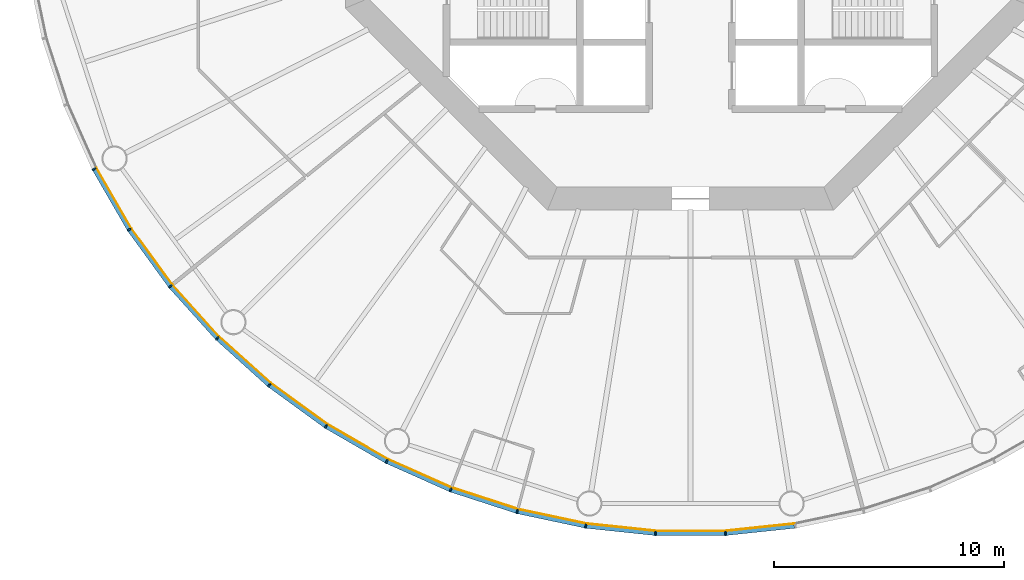
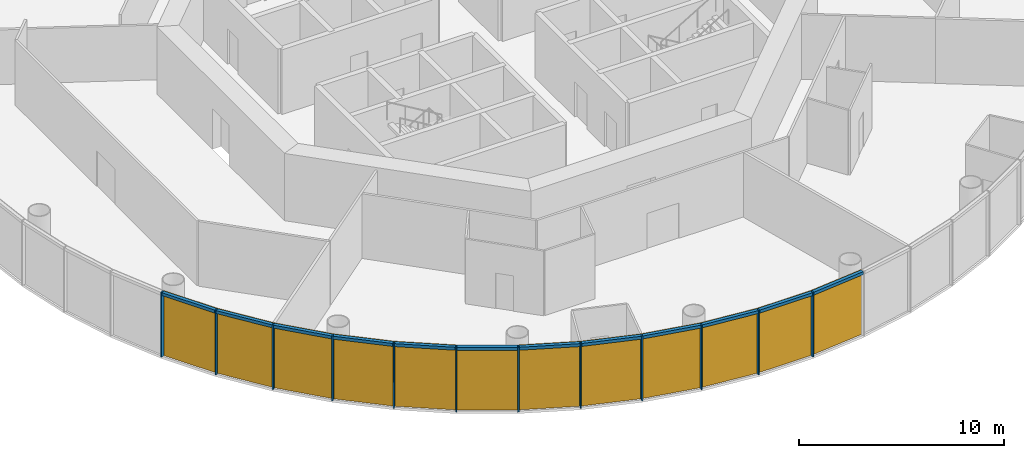
# One storey, part 7 of 13: 24 members, 4 curtain walls.
"""IFC4 building model written with IfcOpenShell, lengths in metres."""

from ifc_helpers import new_model, si_unit, direction, frame, origin, origin_2d, place, context, subcontext, project, spatial, polyline, rectangle, outline, extrude, material, layer, layer_set, material_profile, profile_set, type_object, element, aggregate, save


model = new_model("IFC4")

# Units and contexts
model_context = context("Model", 3, precision=1e-05, world=origin(), true_north=direction((0.0, 1.0)))
body_context = subcontext(model_context, "Body", "Model", "MODEL_VIEW")
ifc_project = project(units=[si_unit("LENGTHUNIT", "METRE"), si_unit("AREAUNIT", "SQUARE_METRE"), si_unit("VOLUMEUNIT", "CUBIC_METRE"), si_unit("PLANEANGLEUNIT", "RADIAN"), si_unit("MASSUNIT", "GRAM", prefix="KILO")], contexts=[model_context])

# Member
ifc_material_1 = material(Name="Anodised aluminium", Category="aluminium")
ifc_material_profile_1 = material_profile(ifc_material_1, rectangle(XDim=0.06494140625, YDim=0.18505859375, at=origin_2d()), Name="Mullion 65 x 185 mm anodised aluminium")
ifc_profile_set_1 = profile_set([ifc_material_profile_1], Name="Anodised aluminium")
member_type_1 = type_object("IfcMemberType", Name="Mullion 65 x 185 mm anodised aluminium", PredefinedType="MULLION", material=ifc_profile_set_1)
site_placement = place(None, origin())
building_placement = place(site_placement, origin())
storey_placement = place(building_placement, frame((0.0, 0.0, 168.0)))
member_1_placement = place(storey_placement, frame((64.078369140625, 66.792236328125, 0.0), z_axis=(0.0, 0.0, 1.0), x_axis=(0.45399049974, -0.891006524188, 0.0)))
member_1 = element("IfcMember", 1, at=member_1_placement, type_object=member_type_1, Name="MULLION L38-33", PredefinedType="MULLION", context=body_context, shape_type="SweptSolid", body=[
    extrude(rectangle(XDim=0.06494140625, YDim=0.18505859375, at=origin_2d()), origin(), (0.0, 0.0, 1.0), 3.85009765625),
])

member_2_placement = place(storey_placement, frame((65.60107421875, 64.155029296875, 0.0), z_axis=(0.0, 0.0, 1.0), x_axis=(0.544639035015, -0.838670567945, 0.0)))
member_2 = element("IfcMember", 2, at=member_2_placement, type_object=member_type_1, Name="MULLION L38-34", PredefinedType="MULLION", context=body_context, shape_type="SweptSolid", body=[
    extrude(rectangle(XDim=0.06494140625, YDim=0.18505859375, at=origin_2d()), origin(), (0.0, 0.0, 1.0), 3.85009765625),
])

member_3_placement = place(storey_placement, frame((67.390869140625, 61.69140625, 0.0), z_axis=(0.0, 0.0, 1.0), x_axis=(0.62932039105, -0.777145961457, 0.0)))
member_3 = element("IfcMember", 3, at=member_3_placement, type_object=member_type_1, Name="MULLION L38-35", PredefinedType="MULLION", context=body_context, shape_type="SweptSolid", body=[
    extrude(rectangle(XDim=0.06494140625, YDim=0.18505859375, at=origin_2d()), origin(), (0.0, 0.0, 1.0), 3.85009765625),
])

member_4_placement = place(storey_placement, frame((69.428466796875, 59.428466796875, 0.0), z_axis=(0.0, 0.0, 1.0), x_axis=(0.707106781187, -0.707106781187, 0.0)))
member_4 = element("IfcMember", 4, at=member_4_placement, type_object=member_type_1, Name="MULLION L38-36", PredefinedType="MULLION", context=body_context, shape_type="SweptSolid", body=[
    extrude(rectangle(XDim=0.06494140625, YDim=0.18505859375, at=origin_2d()), origin(), (0.0, 0.0, 1.0), 3.85009765625),
])

member_5_placement = place(storey_placement, frame((71.69140625, 57.390869140625, 0.0), z_axis=(0.0, 0.0, 1.0), x_axis=(0.777145961457, -0.62932039105, 0.0)))
member_5 = element("IfcMember", 5, at=member_5_placement, type_object=member_type_1, Name="MULLION L38-37", PredefinedType="MULLION", context=body_context, shape_type="SweptSolid", body=[
    extrude(rectangle(XDim=0.06494140625, YDim=0.18505859375, at=origin_2d()), origin(), (0.0, 0.0, 1.0), 3.85009765625),
])

member_6_placement = place(storey_placement, frame((74.155029296875, 55.60107421875, 0.0), z_axis=(0.0, 0.0, 1.0), x_axis=(0.838670567945, -0.544639035015, 0.0)))
member_6 = element("IfcMember", 6, at=member_6_placement, type_object=member_type_1, Name="MULLION L38-38", PredefinedType="MULLION", context=body_context, shape_type="SweptSolid", body=[
    extrude(rectangle(XDim=0.06494140625, YDim=0.18505859375, at=origin_2d()), origin(), (0.0, 0.0, 1.0), 3.85009765625),
])

member_7_placement = place(storey_placement, frame((76.792236328125, 54.078369140625, 0.0), z_axis=(0.0, 0.0, 1.0), x_axis=(0.891006524188, -0.45399049974, 0.0)))
member_7 = element("IfcMember", 7, at=member_7_placement, type_object=member_type_1, Name="MULLION L38-39", PredefinedType="MULLION", context=body_context, shape_type="SweptSolid", body=[
    extrude(rectangle(XDim=0.06494140625, YDim=0.18505859375, at=origin_2d()), origin(), (0.0, 0.0, 1.0), 3.85009765625),
])

member_8_placement = place(storey_placement, frame((79.57421875, 52.83984375, 0.0), z_axis=(0.0, 0.0, 1.0), x_axis=(0.933580426497, -0.358367949545, 0.0)))
member_8 = element("IfcMember", 8, at=member_8_placement, type_object=member_type_1, Name="MULLION L38-40", PredefinedType="MULLION", context=body_context, shape_type="SweptSolid", body=[
    extrude(rectangle(XDim=0.06494140625, YDim=0.18505859375, at=origin_2d()), origin(), (0.0, 0.0, 1.0), 3.85009765625),
])

member_9_placement = place(storey_placement, frame((82.47021484375, 51.898681640625, 0.0), z_axis=(0.0, 0.0, 1.0), x_axis=(0.965925826289, -0.258819045103, 0.0)))
member_9 = element("IfcMember", 9, at=member_9_placement, type_object=member_type_1, Name="MULLION L38-41", PredefinedType="MULLION", context=body_context, shape_type="SweptSolid", body=[
    extrude(rectangle(XDim=0.06494140625, YDim=0.18505859375, at=origin_2d()), origin(), (0.0, 0.0, 1.0), 3.85009765625),
])

member_10_placement = place(storey_placement, frame((85.448974609375, 51.265625, 0.0), z_axis=(0.0, 0.0, 1.0), x_axis=(0.987688340595, -0.15643446504, 0.0)))
member_10 = element("IfcMember", 10, at=member_10_placement, type_object=member_type_1, Name="MULLION L38-42", PredefinedType="MULLION", context=body_context, shape_type="SweptSolid", body=[
    extrude(rectangle(XDim=0.06494140625, YDim=0.18505859375, at=origin_2d()), origin(), (0.0, 0.0, 1.0), 3.85009765625),
])

member_11_placement = place(storey_placement, frame((88.477294921875, 50.947265625, 0.0), z_axis=(0.0, 0.0, 1.0), x_axis=(0.998629534755, -0.052335956243, 0.0)))
member_11 = element("IfcMember", 11, at=member_11_placement, type_object=member_type_1, Name="MULLION L38-43", PredefinedType="MULLION", context=body_context, shape_type="SweptSolid", body=[
    extrude(rectangle(XDim=0.06494140625, YDim=0.18505859375, at=origin_2d()), origin(), (0.0, 0.0, 1.0), 3.85009765625),
])

member_12_placement = place(storey_placement, frame((91.522705078125, 50.947265625, 0.0), z_axis=(0.0, 0.0, 1.0), x_axis=(0.998629534755, 0.052335956243, 0.0)))
member_12 = element("IfcMember", 12, at=member_12_placement, type_object=member_type_1, Name="MULLION L38-44", PredefinedType="MULLION", context=body_context, shape_type="SweptSolid", body=[
    extrude(rectangle(XDim=0.06494140625, YDim=0.18505859375, at=origin_2d()), origin(), (0.0, 0.0, 1.0), 3.85009765625),
])

ifc_material_2 = material(Name="Anodised aluminium", Category="aluminium")
ifc_material_profile_2 = material_profile(ifc_material_2, rectangle(XDim=0.18505859375, YDim=0.175048828125, at=origin_2d()), Name="Transom 175 x 185 mm anodised aluminium")
ifc_profile_set_2 = profile_set([ifc_material_profile_2], Name="Anodised aluminium")
member_type_2 = type_object("IfcMemberType", Name="Transom 175 x 185 mm anodised aluminium", PredefinedType="USERDEFINED", material=ifc_profile_set_2)
member_13_placement = place(storey_placement, frame((64.096923828125, 66.759765625, 3.762451171875), z_axis=(0.500028367561, -0.866009025146, 0.0), x_axis=(0.866009025146, 0.500028367561, 0.0)))
member_13 = element("IfcMember", 13, at=member_13_placement, type_object=member_type_2, Name="TRANSOM L38-33", ObjectType="TRANSOM", PredefinedType="USERDEFINED", context=body_context, shape_type="SweptSolid", body=[
    extrude(rectangle(XDim=0.18505859375, YDim=0.175048828125, at=origin_2d()), origin(), (0.0, 0.0, 1.0), 2.970458984375),
])

member_14_placement = place(storey_placement, frame((65.622802734375, 64.124755859375, 3.762451171875), z_axis=(0.587819781808, -0.808991906087, 0.0), x_axis=(0.808991906087, 0.587819781808, 0.0)))
member_14 = element("IfcMember", 14, at=member_14_placement, type_object=member_type_2, Name="TRANSOM L38-34", ObjectType="TRANSOM", PredefinedType="USERDEFINED", context=body_context, shape_type="SweptSolid", body=[
    extrude(rectangle(XDim=0.18505859375, YDim=0.175048828125, at=origin_2d()), origin(), (0.0, 0.0, 1.0), 2.970458984375),
])

member_15_placement = place(storey_placement, frame((67.415771484375, 61.66357421875, 3.762451171875), z_axis=(0.669110027395, -0.743163354343, 0.0), x_axis=(0.743163354343, 0.669110027395, 0.0)))
member_15 = element("IfcMember", 15, at=member_15_placement, type_object=member_type_2, Name="TRANSOM L38-35", ObjectType="TRANSOM", PredefinedType="USERDEFINED", context=body_context, shape_type="SweptSolid", body=[
    extrude(rectangle(XDim=0.18505859375, YDim=0.175048828125, at=origin_2d()), origin(), (0.0, 0.0, 1.0), 2.970458984375),
])

member_16_placement = place(storey_placement, frame((69.4560546875, 59.4033203125, 3.762451171875), z_axis=(0.743163354343, -0.669110027395, 0.0), x_axis=(0.669110027395, 0.743163354343, 0.0)))
member_16 = element("IfcMember", 16, at=member_16_placement, type_object=member_type_2, Name="TRANSOM L38-36", ObjectType="TRANSOM", PredefinedType="USERDEFINED", context=body_context, shape_type="SweptSolid", body=[
    extrude(rectangle(XDim=0.18505859375, YDim=0.175048828125, at=origin_2d()), origin(), (0.0, 0.0, 1.0), 2.970458984375),
])

member_17_placement = place(storey_placement, frame((71.7216796875, 57.368896484375, 3.762451171875), z_axis=(0.808991906087, -0.587819781808, 0.0), x_axis=(0.587819781808, 0.808991906087, 0.0)))
member_17 = element("IfcMember", 17, at=member_17_placement, type_object=member_type_2, Name="TRANSOM L38-37", ObjectType="TRANSOM", PredefinedType="USERDEFINED", context=body_context, shape_type="SweptSolid", body=[
    extrude(rectangle(XDim=0.18505859375, YDim=0.175048828125, at=origin_2d()), origin(), (0.0, 0.0, 1.0), 2.970458984375),
])

member_18_placement = place(storey_placement, frame((74.187255859375, 55.582275390625, 3.762451171875), z_axis=(0.866009025146, -0.500028367561, 0.0), x_axis=(0.500028367561, 0.866009025146, 0.0)))
member_18 = element("IfcMember", 18, at=member_18_placement, type_object=member_type_2, Name="TRANSOM L38-38", ObjectType="TRANSOM", PredefinedType="USERDEFINED", context=body_context, shape_type="SweptSolid", body=[
    extrude(rectangle(XDim=0.18505859375, YDim=0.175048828125, at=origin_2d()), origin(), (0.0, 0.0, 1.0), 2.970458984375),
])

member_19_placement = place(storey_placement, frame((76.826416015625, 54.06298828125, 3.762451171875), z_axis=(0.913567348806, -0.406687471156, 0.0), x_axis=(0.406687471156, 0.913567348806, 0.0)))
member_19 = element("IfcMember", 19, at=member_19_placement, type_object=member_type_2, Name="TRANSOM L38-39", ObjectType="TRANSOM", PredefinedType="USERDEFINED", context=body_context, shape_type="SweptSolid", body=[
    extrude(rectangle(XDim=0.18505859375, YDim=0.175048828125, at=origin_2d()), origin(), (0.0, 0.0, 1.0), 2.970458984375),
])

member_20_placement = place(storey_placement, frame((79.609619140625, 52.828125, 3.762451171875), z_axis=(0.951055809184, -0.30901917063, 0.0), x_axis=(0.30901917063, 0.951055809184, 0.0)))
member_20 = element("IfcMember", 20, at=member_20_placement, type_object=member_type_2, Name="TRANSOM L38-40", ObjectType="TRANSOM", PredefinedType="USERDEFINED", context=body_context, shape_type="SweptSolid", body=[
    extrude(rectangle(XDim=0.18505859375, YDim=0.175048828125, at=origin_2d()), origin(), (0.0, 0.0, 1.0), 2.970703125),
])

member_21_placement = place(storey_placement, frame((82.5068359375, 51.890869140625, 3.762451171875), z_axis=(0.97815822425, -0.207861704825, 0.0), x_axis=(0.207861704825, 0.97815822425, 0.0)))
member_21 = element("IfcMember", 21, at=member_21_placement, type_object=member_type_2, Name="TRANSOM L38-41", ObjectType="TRANSOM", PredefinedType="USERDEFINED", context=body_context, shape_type="SweptSolid", body=[
    extrude(rectangle(XDim=0.18505859375, YDim=0.175048828125, at=origin_2d()), origin(), (0.0, 0.0, 1.0), 2.970458984375),
])

member_22_placement = place(storey_placement, frame((85.486083984375, 51.26171875, 3.762451171875), z_axis=(0.994519855197, -0.104547872381, 0.0), x_axis=(0.104547872381, 0.994519855197, 0.0)))
member_22 = element("IfcMember", 22, at=member_22_placement, type_object=member_type_2, Name="TRANSOM L38-42", ObjectType="TRANSOM", PredefinedType="USERDEFINED", context=body_context, shape_type="SweptSolid", body=[
    extrude(rectangle(XDim=0.18505859375, YDim=0.175048828125, at=origin_2d()), origin(), (0.0, 0.0, 1.0), 2.970458984375),
])

member_23_placement = place(storey_placement, frame((88.5146484375, 50.947265625, 3.762451171875), z_axis=(1.0, 0.0, 0.0), x_axis=(0.0, 1.0, 0.0)))
member_23 = element("IfcMember", 23, at=member_23_placement, type_object=member_type_2, Name="TRANSOM L38-43", ObjectType="TRANSOM", PredefinedType="USERDEFINED", context=body_context, shape_type="SweptSolid", body=[
    extrude(rectangle(XDim=0.18505859375, YDim=0.175048828125, at=origin_2d()), origin(), (0.0, 0.0, 1.0), 2.970703125),
])

member_24_placement = place(storey_placement, frame((91.559814453125, 50.951171875, 3.762451171875), z_axis=(0.994519855197, 0.104547872381, 0.0), x_axis=(-0.104547872381, 0.994519855197, 0.0)))
member_24 = element("IfcMember", 24, at=member_24_placement, type_object=member_type_2, Name="TRANSOM L38-44", ObjectType="TRANSOM", PredefinedType="USERDEFINED", context=body_context, shape_type="SweptSolid", body=[
    extrude(rectangle(XDim=0.18505859375, YDim=0.175048828125, at=origin_2d()), origin(), (0.0, 0.0, 1.0), 2.970458984375),
])

# Site, building, storey
site = spatial("IfcSite", under=ifc_project, at=site_placement, CompositionType="ELEMENT")
building = spatial("IfcBuilding", under=site, at=building_placement, Name="Entoto Ring Tower", CompositionType="ELEMENT")
storey = spatial("IfcBuildingStorey", under=building, at=storey_placement, Name="L38", CompositionType="ELEMENT", Elevation=168.0)

# Curtain wall
ifc_material_3 = material(Name="Clear low-iron glass", Category="glass")
ifc_layer = layer(ifc_material_3, 0.033935546875)
ifc_layer_set = layer_set([ifc_layer], Name="Clear low-iron glass")
curtain_wall_type = type_object("IfcCurtainWallType", Name="Curtain wall system CW3 glazing 34 mm", PredefinedType="NOTDEFINED", material=ifc_layer_set)
curtain_wall_1_placement = place(storey_placement, origin())
curtain_wall_1 = element("IfcCurtainWall", 25, at=curtain_wall_1_placement, inside=storey, type_object=curtain_wall_type, Name="CW3 L38-12", PredefinedType="NOTDEFINED", context=body_context, shape_type="SweptSolid", body=[
    extrude(outline(polyline([(64.160888671875, 66.834228515625), (65.678466796875, 64.20556640625), (67.462646484375, 61.749755859375), (69.493896484375, 59.493896484375), (69.51806640625, 59.51806640625), (67.4892578125, 61.771240234375), (65.70703125, 64.22412109375), (64.191162109375, 66.849853515625), (64.160888671875, 66.834228515625)])), origin(), (0.0, 0.0, 1.0), 3.85009765625),
])

aggregate(curtain_wall_1, [member_1, member_2, member_3, member_13, member_14, member_15])

curtain_wall_2_placement = place(storey_placement, origin())
curtain_wall_2 = element("IfcCurtainWall", 26, at=curtain_wall_2_placement, inside=storey, type_object=curtain_wall_type, Name="CW3 L38-13", PredefinedType="NOTDEFINED", context=body_context, shape_type="SweptSolid", body=[
    extrude(outline(polyline([(69.493896484375, 59.493896484375), (71.749755859375, 57.462646484375), (74.20556640625, 55.678466796875), (76.834228515625, 54.160888671875), (76.849853515625, 54.191162109375), (74.22412109375, 55.70703125), (71.771240234375, 57.4892578125), (69.51806640625, 59.51806640625), (69.493896484375, 59.493896484375)])), origin(), (0.0, 0.0, 1.0), 3.85009765625),
])

aggregate(curtain_wall_2, [member_4, member_5, member_6, member_16, member_17, member_18])

curtain_wall_3_placement = place(storey_placement, origin())
curtain_wall_3 = element("IfcCurtainWall", 27, at=curtain_wall_3_placement, inside=storey, type_object=curtain_wall_type, Name="CW3 L38-14", PredefinedType="NOTDEFINED", context=body_context, shape_type="SweptSolid", body=[
    extrude(outline(polyline([(76.834228515625, 54.160888671875), (79.607421875, 52.92626953125), (82.494140625, 51.988037109375), (85.46337890625, 51.35693359375), (85.46875, 51.390625), (82.503173828125, 52.02099609375), (79.61962890625, 52.9580078125), (76.849853515625, 54.191162109375), (76.834228515625, 54.160888671875)])), origin(), (0.0, 0.0, 1.0), 3.85009765625),
])

aggregate(curtain_wall_3, [member_7, member_8, member_9, member_19, member_20, member_21])

curtain_wall_4_placement = place(storey_placement, origin())
curtain_wall_4 = element("IfcCurtainWall", 28, at=curtain_wall_4_placement, inside=storey, type_object=curtain_wall_type, Name="CW3 L38-15", PredefinedType="NOTDEFINED", context=body_context, shape_type="SweptSolid", body=[
    extrude(outline(polyline([(85.46337890625, 51.35693359375), (88.482177734375, 51.039794921875), (91.517822265625, 51.039794921875), (94.53662109375, 51.35693359375), (94.53125, 51.390625), (91.515869140625, 51.07373046875), (88.484130859375, 51.07373046875), (85.46875, 51.390625), (85.46337890625, 51.35693359375)])), origin(), (0.0, 0.0, 1.0), 3.85009765625),
])

aggregate(curtain_wall_4, [member_10, member_11, member_12, member_22, member_23, member_24])

save(model, "model.ifc")
